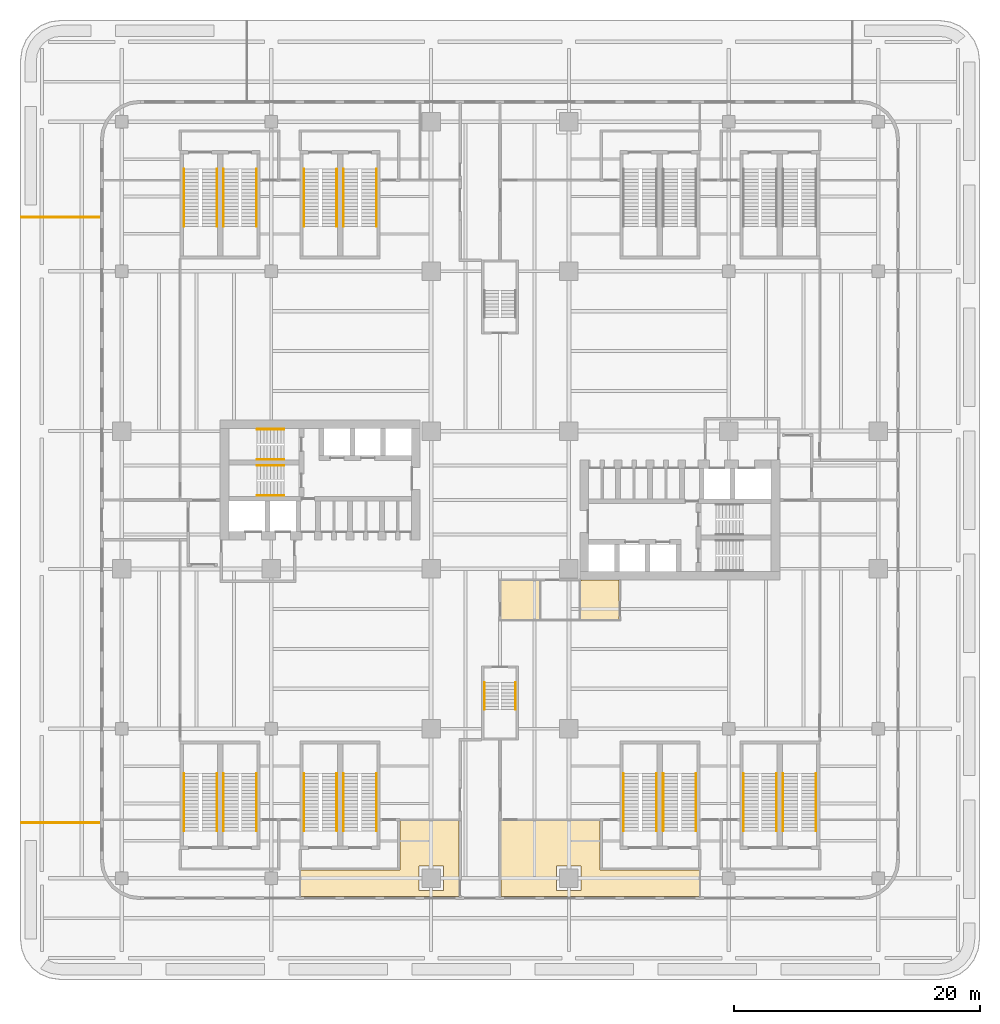
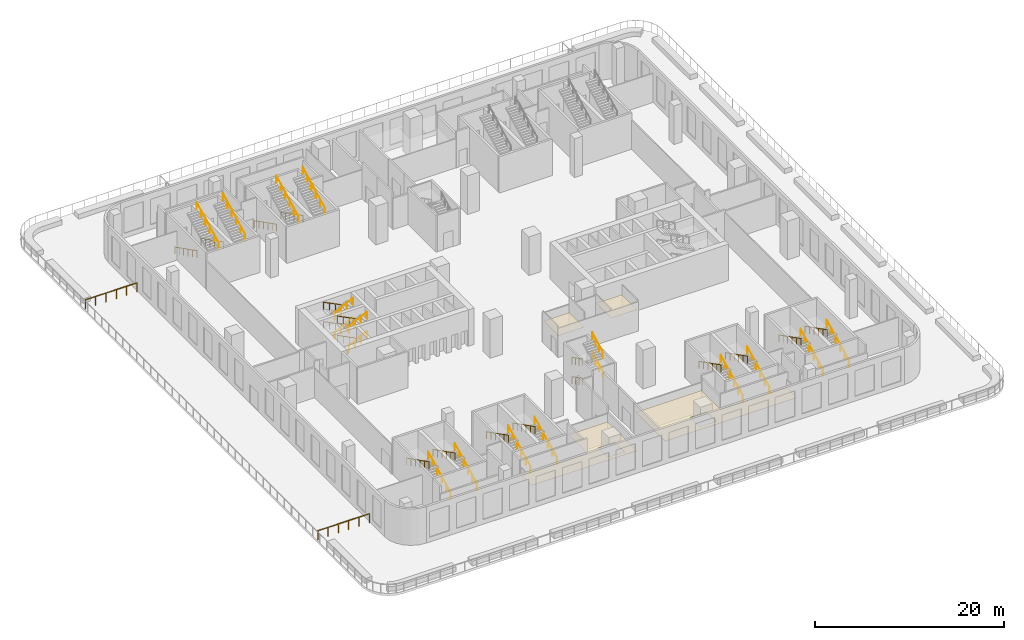
# One storey, part 16 of 17: 38 railings, 4 coverings.
"""IFC4 building model written with IfcOpenShell, lengths in metres."""

from ifc_helpers import new_model, si_unit, direction, frame, origin, origin_2d, place, context, subcontext, project, spatial, polyline, rectangle, circle, outline, extrude, source, transform, mapped, material, layer, layer_set, type_object, element, save


model = new_model("IFC4")

# Units and contexts
model_context = context("Model", 3, precision=1e-05, world=origin(), true_north=direction((0.0, 1.0)))
body_context = subcontext(model_context, "Body", "Model", "MODEL_VIEW")
ifc_project = project(units=[si_unit("LENGTHUNIT", "METRE"), si_unit("AREAUNIT", "SQUARE_METRE"), si_unit("VOLUMEUNIT", "CUBIC_METRE"), si_unit("PLANEANGLEUNIT", "RADIAN"), si_unit("MASSUNIT", "GRAM", prefix="KILO")], contexts=[model_context])

# Site, building, storey
site_placement = place(None, origin())
site = spatial("IfcSite", under=ifc_project, at=site_placement, CompositionType="ELEMENT")
building_placement = place(site_placement, origin())
building = spatial("IfcBuilding", under=site, at=building_placement, Name="Trellis Farm Tower", CompositionType="ELEMENT")
storey_placement = place(building_placement, frame((0.0, 0.0, 24.0)))
storey = spatial("IfcBuildingStorey", under=building, at=storey_placement, Name="L04", CompositionType="ELEMENT", Elevation=24.0)

# Coverings
ifc_material_1 = material(Name="Mineral fibre ceiling tile on concealed grid")
ifc_layer_1 = layer(ifc_material_1, 0.0400390625)
ifc_layer_set_1 = layer_set([ifc_layer_1], Name="MINERAL FIBRE CEILING TILE 40")
covering_type_1 = type_object("IfcCoveringType", Name="MINERAL FIBRE CEILING TILE 40", PredefinedType="CEILING", material=ifc_layer_set_1)
placement = place(storey_placement, frame((0.0, 0.0, 2.699951171875)))
element("IfcCovering", 1, at=placement, inside=storey, type_object=covering_type_1, Name="CL1 suspended ceiling", PredefinedType="CEILING", context=body_context, shape_type="SweptSolid", body=[
    extrude(outline(polyline([(0.10009765625, -26.0625), (8.14990234375, -26.0625), (8.14990234375, -30.10009765625), (16.199951171875, -30.10009765625), (16.199951171875, -32.25), (0.10009765625, -32.25), (0.10009765625, -26.0625)]), holes=[polyline([(6.60009765625, -31.75), (6.60009765625, -29.75), (4.60009765625, -29.75), (4.60009765625, -31.75), (6.60009765625, -31.75)])]), origin(), (0.0, 0.0, 1.0), 0.0400390625),
])
ifc_material_2 = material(Name="Moisture resistant plasterboard on metal framing")
ifc_layer_2 = layer(ifc_material_2, 0.02490234375)
ifc_layer_set_2 = layer_set([ifc_layer_2], Name="PLASTERBOARD CEILING 25")
covering_type_2 = type_object("IfcCoveringType", Name="PLASTERBOARD CEILING 25", PredefinedType="CEILING", material=ifc_layer_set_2)
element("IfcCovering", 2, at=placement, inside=storey, type_object=covering_type_2, Name="CL2 suspended ceiling", PredefinedType="CEILING", context=body_context, shape_type="SweptSolid", body=[
    extrude(outline(polyline([(3.199951171875, -9.699951171875), (0.0625, -9.699951171875), (0.0625, -6.5625), (3.199951171875, -6.5625), (3.199951171875, -9.699951171875)])), origin(), (0.0, 0.0, 1.0), 0.025146484375),
])
element("IfcCovering", 3, at=placement, inside=storey, type_object=covering_type_2, Name="CL2 suspended ceiling", PredefinedType="CEILING", context=body_context, shape_type="SweptSolid", body=[
    extrude(outline(polyline([(-16.199951171875, -30.10009765625), (-8.14990234375, -30.10009765625), (-8.14990234375, -26.0625), (-3.35009765625, -26.0625), (-3.35009765625, -32.25), (-16.199951171875, -32.25), (-16.199951171875, -30.10009765625)]), holes=[polyline([(-4.60009765625, -31.75), (-4.60009765625, -29.75), (-6.60009765625, -29.75), (-6.60009765625, -31.75), (-4.60009765625, -31.75)])]), origin(), (0.0, 0.0, 1.0), 0.025146484375),
])

# Railings
ifc_material_3 = material(Name="Stainless steel", Category="steel")
railing_type_1 = type_object("IfcRailingType", Name="STAIR HANDRAIL 900", PredefinedType="HANDRAIL", material=ifc_material_3)
shared_shape_1 = source(origin(), body_context, "Body", "SweptSolid", [
    extrude(circle(Radius=0.02392578125, at=origin_2d()), frame((0.0, 0.0, 0.8759765625), z_axis=(0.0, 0.892617056473, 0.450815694596), x_axis=(-1.0, 0.0, 0.0)), (0.0, 0.0, 1.0), 2.464599609375),
    extrude(circle(Radius=0.02099609375, at=origin_2d()), origin(), (0.0, 0.0, 1.0), 0.851806640625),
    extrude(circle(Radius=0.02099609375, at=origin_2d()), frame((0.0, 0.7333984375, 0.370361328125)), (0.0, 0.0, 1.0), 0.851806640625),
    extrude(circle(Radius=0.02099609375, at=origin_2d()), frame((0.0, 1.466552734375, 0.74072265625)), (0.0, 0.0, 1.0), 0.851806640625),
    extrude(circle(Radius=0.02099609375, at=origin_2d()), frame((0.0, 2.199951171875, 1.111083984375)), (0.0, 0.0, 1.0), 0.851806640625),
])
for number, where, name in (
    (4, (1.25, -17.050048828125, 1.388916015625), "Stair handrail"),
    (5, (1.25, -17.050048828125, 3.888916015625), "Stair handrail"),
):
    element("IfcRailing", number, at=place(storey_placement, frame(where)), inside=storey, type_object=railing_type_1, Name=name, PredefinedType="HANDRAIL", context=body_context, shape_type="MappedRepresentation", body=[
        mapped(shared_shape_1, transform((0.0, 0.0, 0.0))),
    ])
shared_shape_2 = source(origin(), body_context, "Body", "SweptSolid", [
    extrude(circle(Radius=0.02392578125, at=origin_2d()), frame((0.0, 0.0, 0.8759765625), z_axis=(0.0, -0.892617056473, 0.450815694596), x_axis=(1.0, 0.0, 0.0)), (0.0, 0.0, 1.0), 2.464599609375),
    extrude(circle(Radius=0.02099609375, at=origin_2d()), origin(), (0.0, 0.0, 1.0), 0.851806640625),
    extrude(circle(Radius=0.02099609375, at=origin_2d()), frame((0.0, -0.7333984375, 0.370361328125)), (0.0, 0.0, 1.0), 0.851806640625),
    extrude(circle(Radius=0.02099609375, at=origin_2d()), frame((0.0, -1.466552734375, 0.74072265625)), (0.0, 0.0, 1.0), 0.851806640625),
    extrude(circle(Radius=0.02099609375, at=origin_2d()), frame((0.0, -2.199951171875, 1.111083984375)), (0.0, 0.0, 1.0), 0.851806640625),
])
for number, where, name in (
    (6, (-1.25, -14.85009765625, 0.138916015625), "Stair handrail"),
    (7, (-1.25, -14.85009765625, 2.638916015625), "Stair handrail"),
):
    element("IfcRailing", number, at=place(storey_placement, frame(where)), inside=storey, type_object=railing_type_1, Name=name, PredefinedType="HANDRAIL", context=body_context, shape_type="MappedRepresentation", body=[
        mapped(shared_shape_2, transform((0.0, 0.0, 0.0))),
    ])
shared_shape_3 = source(origin(), body_context, "Body", "SweptSolid", [
    extrude(circle(Radius=0.02392578125, at=origin_2d()), frame((0.0, 0.0, 0.8759765625), z_axis=(0.892617056473, 0.0, 0.450815694596), x_axis=(0.0, 1.0, 0.0)), (0.0, 0.0, 1.0), 2.464599609375),
    extrude(circle(Radius=0.02099609375, at=origin_2d()), origin(), (0.0, 0.0, 1.0), 0.851806640625),
    extrude(circle(Radius=0.02099609375, at=origin_2d()), frame((0.7333984375, 0.0, 0.370361328125)), (0.0, 0.0, 1.0), 0.851806640625),
    extrude(circle(Radius=0.02099609375, at=origin_2d()), frame((1.466552734375, 0.0, 0.74072265625)), (0.0, 0.0, 1.0), 0.851806640625),
    extrude(circle(Radius=0.02099609375, at=origin_2d()), frame((2.199951171875, 0.0, 1.111083984375)), (0.0, 0.0, 1.0), 0.851806640625),
])
for number, where, name in (
    (8, (-19.75, 3.300048828125, 1.388916015625), "Stair handrail"),
    (9, (-19.75, 3.300048828125, 3.888916015625), "Stair handrail"),
    (10, (-19.75, 0.35009765625, 1.388916015625), "Stair handrail"),
    (11, (-19.75, 0.35009765625, 3.888916015625), "Stair handrail"),
):
    element("IfcRailing", number, at=place(storey_placement, frame(where)), inside=storey, type_object=railing_type_1, Name=name, PredefinedType="HANDRAIL", context=body_context, shape_type="MappedRepresentation", body=[
        mapped(shared_shape_3, transform((0.0, 0.0, 0.0))),
    ])
shared_shape_4 = source(origin(), body_context, "Body", "SweptSolid", [
    extrude(circle(Radius=0.02392578125, at=origin_2d()), frame((0.0, 0.0, 0.8759765625), z_axis=(-0.892617056473, 0.0, 0.450815694596), x_axis=(0.0, -1.0, 0.0)), (0.0, 0.0, 1.0), 2.464599609375),
    extrude(circle(Radius=0.02099609375, at=origin_2d()), origin(), (0.0, 0.0, 1.0), 0.851806640625),
    extrude(circle(Radius=0.02099609375, at=origin_2d()), frame((-0.7333984375, 0.0, 0.370361328125)), (0.0, 0.0, 1.0), 0.851806640625),
    extrude(circle(Radius=0.02099609375, at=origin_2d()), frame((-1.466552734375, 0.0, 0.74072265625)), (0.0, 0.0, 1.0), 0.851806640625),
    extrude(circle(Radius=0.02099609375, at=origin_2d()), frame((-2.199951171875, 0.0, 1.111083984375)), (0.0, 0.0, 1.0), 0.851806640625),
])
for number, where, name in (
    (12, (-17.550048828125, 5.75, 0.138916015625), "Stair handrail"),
    (13, (-17.550048828125, 5.75, 2.638916015625), "Stair handrail"),
    (14, (-17.550048828125, 2.800048828125, 0.138916015625), "Stair handrail"),
    (15, (-17.550048828125, 2.800048828125, 2.638916015625), "Stair handrail"),
):
    element("IfcRailing", number, at=place(storey_placement, frame(where)), inside=storey, type_object=railing_type_1, Name=name, PredefinedType="HANDRAIL", context=body_context, shape_type="MappedRepresentation", body=[
        mapped(shared_shape_4, transform((0.0, 0.0, 0.0))),
    ])
shared_shape_5 = source(origin(), body_context, "Body", "SweptSolid", [
    extrude(circle(Radius=0.02392578125, at=origin_2d()), frame((0.0, 0.0, 0.8759765625), z_axis=(0.0, -0.892611158778, 0.450827371868), x_axis=(1.0, 0.0, 0.0)), (0.0, 0.0, 1.0), 5.2373046875),
    extrude(circle(Radius=0.02099609375, at=origin_2d()), origin(), (0.0, 0.0, 1.0), 0.851806640625),
    extrude(circle(Radius=0.02099609375, at=origin_2d()), frame((0.0, -0.93505859375, 0.47216796875)), (0.0, 0.0, 1.0), 0.851806640625),
    extrude(circle(Radius=0.02099609375, at=origin_2d()), frame((0.0, -1.869873046875, 0.9443359375)), (0.0, 0.0, 1.0), 0.851806640625),
    extrude(circle(Radius=0.02099609375, at=origin_2d()), frame((0.0, -2.804931640625, 1.416748046875)), (0.0, 0.0, 1.0), 0.851806640625),
    extrude(circle(Radius=0.02099609375, at=origin_2d()), frame((0.0, -3.73974609375, 1.888916015625)), (0.0, 0.0, 1.0), 0.851806640625),
    extrude(circle(Radius=0.02099609375, at=origin_2d()), frame((0.0, -4.6748046875, 2.361083984375)), (0.0, 0.0, 1.0), 0.851806640625),
])
for number, where, name in (
    (16, (-25.699951171875, 26.89990234375, 0.138916015625), "Stair handrail"),
    (17, (-22.47998046875, 26.89990234375, 0.138916015625), "Stair handrail"),
    (18, (-15.949951171875, 26.89990234375, 0.138916015625), "Stair handrail"),
    (19, (-12.72998046875, 26.89990234375, 0.138916015625), "Stair handrail"),
    (20, (-25.699951171875, -22.22509765625, 2.638916015625), "Stair handrail"),
    (21, (-22.47998046875, -22.22509765625, 2.638916015625), "Stair handrail"),
    (22, (-15.949951171875, -22.22509765625, 2.638916015625), "Stair handrail"),
    (23, (-12.72998046875, -22.22509765625, 2.638916015625), "Stair handrail"),
    (24, (10.050048828125, -22.22509765625, 2.638916015625), "Stair handrail"),
    (25, (13.27001953125, -22.22509765625, 2.638916015625), "Stair handrail"),
    (26, (19.800048828125, -22.22509765625, 2.638916015625), "Stair handrail"),
    (27, (23.02001953125, -22.22509765625, 2.638916015625), "Stair handrail"),
):
    element("IfcRailing", number, at=place(storey_placement, frame(where)), inside=storey, type_object=railing_type_1, Name=name, PredefinedType="HANDRAIL", context=body_context, shape_type="MappedRepresentation", body=[
        mapped(shared_shape_5, transform((0.0, 0.0, 0.0))),
    ])
shared_shape_6 = source(origin(), body_context, "Body", "SweptSolid", [
    extrude(circle(Radius=0.02392578125, at=origin_2d()), frame((0.0, 0.0, 0.8759765625), z_axis=(0.0, 0.892611158778, 0.450827371868), x_axis=(-1.0, 0.0, 0.0)), (0.0, 0.0, 1.0), 5.2373046875),
    extrude(circle(Radius=0.02099609375, at=origin_2d()), origin(), (0.0, 0.0, 1.0), 0.851806640625),
    extrude(circle(Radius=0.02099609375, at=origin_2d()), frame((0.0, 0.93505859375, 0.47216796875)), (0.0, 0.0, 1.0), 0.851806640625),
    extrude(circle(Radius=0.02099609375, at=origin_2d()), frame((0.0, 1.869873046875, 0.9443359375)), (0.0, 0.0, 1.0), 0.851806640625),
    extrude(circle(Radius=0.02099609375, at=origin_2d()), frame((0.0, 2.804931640625, 1.416748046875)), (0.0, 0.0, 1.0), 0.851806640625),
    extrude(circle(Radius=0.02099609375, at=origin_2d()), frame((0.0, 3.73974609375, 1.888916015625)), (0.0, 0.0, 1.0), 0.851806640625),
    extrude(circle(Radius=0.02099609375, at=origin_2d()), frame((0.0, 4.6748046875, 2.361083984375)), (0.0, 0.0, 1.0), 0.851806640625),
])
for number, where, name in (
    (28, (-23.02001953125, 22.22509765625, 2.638916015625), "Stair handrail"),
    (29, (-19.800048828125, 22.22509765625, 2.638916015625), "Stair handrail"),
    (30, (-13.27001953125, 22.22509765625, 2.638916015625), "Stair handrail"),
    (31, (-10.050048828125, 22.22509765625, 2.638916015625), "Stair handrail"),
    (32, (-23.02001953125, -26.89990234375, 0.138916015625), "Stair handrail"),
    (33, (-19.800048828125, -26.89990234375, 0.138916015625), "Stair handrail"),
    (34, (-13.27001953125, -26.89990234375, 0.138916015625), "Stair handrail"),
    (35, (-10.050048828125, -26.89990234375, 0.138916015625), "Stair handrail"),
    (36, (12.72998046875, -26.89990234375, 0.138916015625), "Stair handrail"),
    (37, (15.949951171875, -26.89990234375, 0.138916015625), "Stair handrail"),
    (38, (22.47998046875, -26.89990234375, 0.138916015625), "Stair handrail"),
    (39, (25.699951171875, -26.89990234375, 0.138916015625), "Stair handrail"),
):
    element("IfcRailing", number, at=place(storey_placement, frame(where)), inside=storey, type_object=railing_type_1, Name=name, PredefinedType="HANDRAIL", context=body_context, shape_type="MappedRepresentation", body=[
        mapped(shared_shape_6, transform((0.0, 0.0, 0.0))),
    ])
ifc_material_4 = material(Name="Stainless steel 316", Category="steel")
railing_type_2 = type_object("IfcRailingType", Name="BALUSTRADE GUARD 1200", PredefinedType="GUARDRAIL", material=ifc_material_4)
shared_shape_7 = source(origin(), body_context, "Body", "SweptSolid", [
    extrude(rectangle(XDim=0.050048828125, YDim=0.050048828125, at=origin_2d()), frame((0.0, 0.0, 1.1748046875), z_axis=(-1.0, 0.0, 0.0), x_axis=(0.0, -1.0, 0.0)), (0.0, 0.0, 1.0), 6.2998046875),
    extrude(rectangle(XDim=0.0400390625, YDim=0.0400390625, at=origin_2d()), origin(), (0.0, 0.0, 1.0), 1.14990234375),
    extrude(rectangle(XDim=0.0400390625, YDim=0.0400390625, at=origin_2d()), frame((-1.260009765625, 0.0, 0.0)), (0.0, 0.0, 1.0), 1.14990234375),
    extrude(rectangle(XDim=0.0400390625, YDim=0.0400390625, at=origin_2d()), frame((-2.52001953125, 0.0, 0.0)), (0.0, 0.0, 1.0), 1.14990234375),
    extrude(rectangle(XDim=0.0400390625, YDim=0.0400390625, at=origin_2d()), frame((-3.77978515625, 0.0, 0.0)), (0.0, 0.0, 1.0), 1.14990234375),
    extrude(rectangle(XDim=0.0400390625, YDim=0.0400390625, at=origin_2d()), frame((-5.039794921875, 0.0, 0.0)), (0.0, 0.0, 1.0), 1.14990234375),
    extrude(rectangle(XDim=0.0400390625, YDim=0.0400390625, at=origin_2d()), frame((-6.2998046875, 0.0, 0.0)), (0.0, 0.0, 1.0), 1.14990234375),
])
railing_1_placement = place(storey_placement, frame((-32.60009765625, -26.240478515625, 0.0)))
element("IfcRailing", 40, at=railing_1_placement, inside=storey, type_object=railing_type_2, Name="GD2 ZN-3", PredefinedType="GUARDRAIL", context=body_context, shape_type="MappedRepresentation", body=[
    mapped(shared_shape_7, transform((0.0, 0.0, 0.0))),
])
shared_shape_8 = source(origin(), body_context, "Body", "SweptSolid", [
    extrude(rectangle(XDim=0.050048828125, YDim=0.050048828125, at=origin_2d()), frame((0.0, 0.0, 1.1748046875), z_axis=(1.0, 0.0, 0.0), x_axis=(0.0, 1.0, 0.0)), (0.0, 0.0, 1.0), 6.2998046875),
    extrude(rectangle(XDim=0.0400390625, YDim=0.0400390625, at=origin_2d()), origin(), (0.0, 0.0, 1.0), 1.14990234375),
    extrude(rectangle(XDim=0.0400390625, YDim=0.0400390625, at=origin_2d()), frame((1.260009765625, 0.0, 0.0)), (0.0, 0.0, 1.0), 1.14990234375),
    extrude(rectangle(XDim=0.0400390625, YDim=0.0400390625, at=origin_2d()), frame((2.52001953125, 0.0, 0.0)), (0.0, 0.0, 1.0), 1.14990234375),
    extrude(rectangle(XDim=0.0400390625, YDim=0.0400390625, at=origin_2d()), frame((3.77978515625, 0.0, 0.0)), (0.0, 0.0, 1.0), 1.14990234375),
    extrude(rectangle(XDim=0.0400390625, YDim=0.0400390625, at=origin_2d()), frame((5.039794921875, 0.0, 0.0)), (0.0, 0.0, 1.0), 1.14990234375),
    extrude(rectangle(XDim=0.0400390625, YDim=0.0400390625, at=origin_2d()), frame((6.2998046875, 0.0, 0.0)), (0.0, 0.0, 1.0), 1.14990234375),
])
railing_2_placement = place(storey_placement, frame((-38.89990234375, 22.990478515625, 0.0)))
element("IfcRailing", 41, at=railing_2_placement, inside=storey, type_object=railing_type_2, Name="GD2 ZN-4", PredefinedType="GUARDRAIL", context=body_context, shape_type="MappedRepresentation", body=[
    mapped(shared_shape_8, transform((0.0, 0.0, 0.0))),
])

# Covering
shared_shape_9 = source(origin(), body_context, "Body", "SweptSolid", [
    extrude(outline(polyline([(6.550048828125, -9.699951171875), (6.550048828125, -6.60009765625), (6.60009765625, -6.60009765625), (6.60009765625, -6.5), (9.6875, -6.5), (9.6875, -9.699951171875), (6.550048828125, -9.699951171875)])), origin(), (0.0, 0.0, 1.0), 0.025146484375),
])
element("IfcCovering", 42, at=placement, inside=storey, type_object=covering_type_2, Name="CL2 suspended ceiling", PredefinedType="CEILING", context=body_context, shape_type="MappedRepresentation", body=[
    mapped(shared_shape_9, transform((0.0, 0.0, 0.0))),
])

save(model, "model.ifc")
